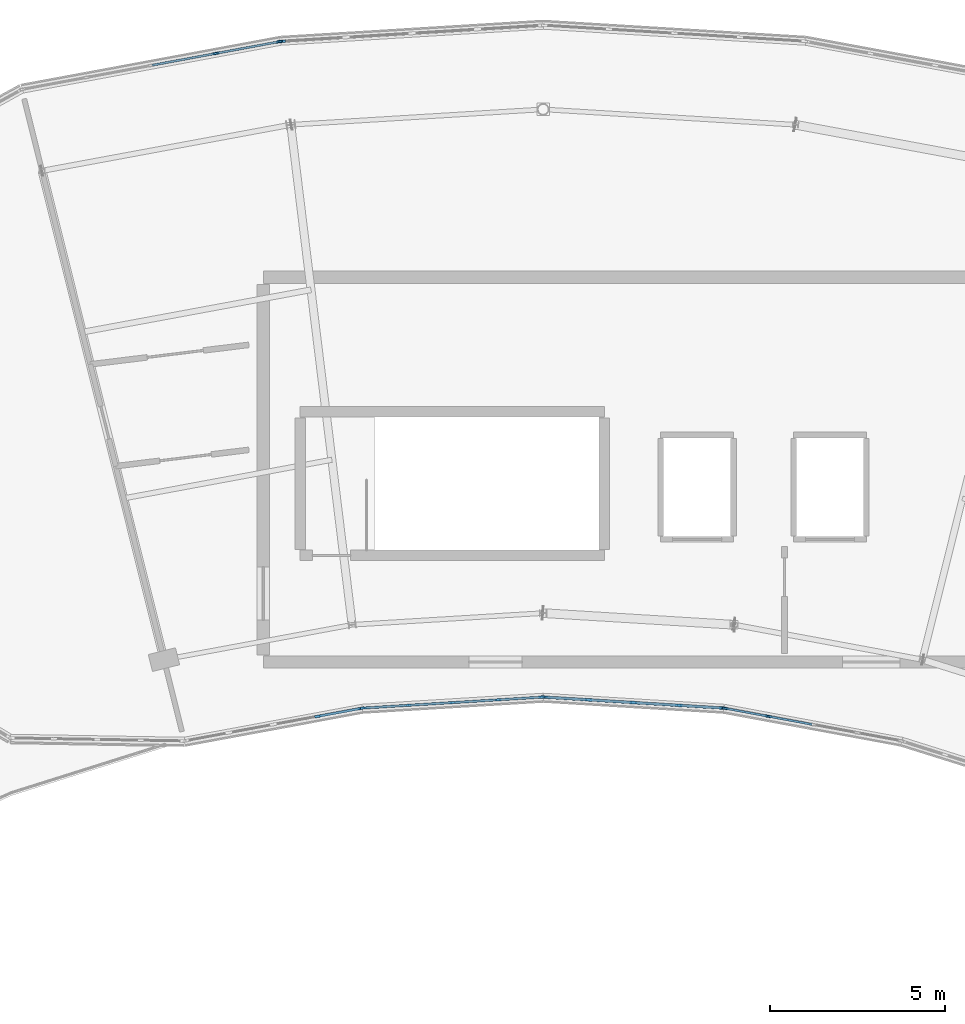
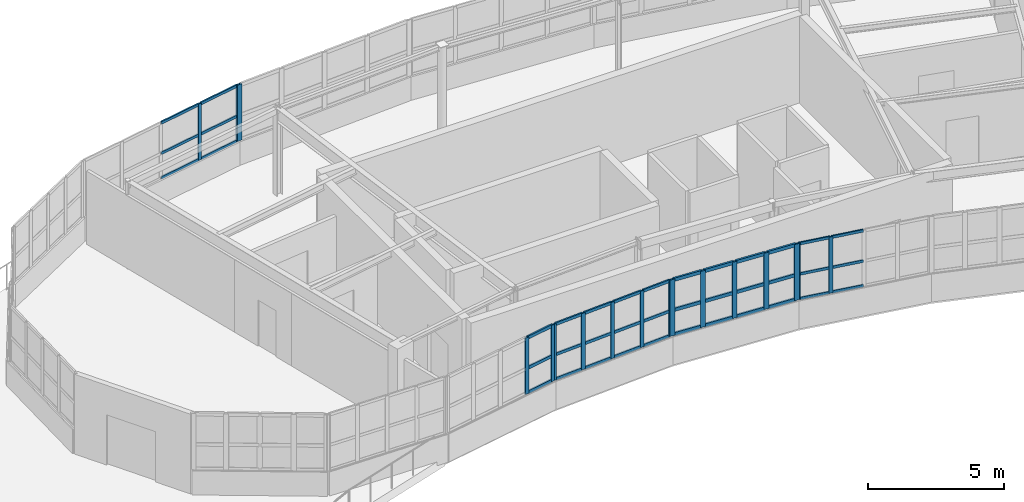
# One storey, part 8 of 26: 56 members, 6 elements without a shape of their own.
"""IFC4 building model written with IfcOpenShell, lengths in metres."""

import ifcopenshell
import ifcopenshell.guid

model = None  # the IFC model being written
_history = None  # IfcOwnerHistory: only IFC2X3 demands one
_inside = {}  # id of a spatial element -> (the spatial element, [elements in it])
_under = {}  # id of a project, library or spatial element -> (it, [spatial elements below it])
_declared = {}  # id of a project -> (the project, [libraries it declares])
_typed = {}  # id of a type object -> (the type object, [elements of that type])
_made_of = {}  # id of a material, layer set ... -> (it, [elements and type objects made of it])


def new_model(schema):
    """Start an empty IFC model of exactly this schema.

    Asked for "IFC4X3", IfcOpenShell would pick the latest addendum, in which some entities
    have other attributes; the version numbers below select the first issue.
    IFC2X3 requires an IfcOwnerHistory on every rooted entity: one is made here for all.
    """
    global model, _history
    if schema == "IFC4X3":
        model = ifcopenshell.file(schema_version=(4, 3, 0, 0))
    else:
        model = ifcopenshell.file(schema=schema)
    _inside.clear()
    _under.clear()
    _declared.clear()
    _typed.clear()
    _made_of.clear()
    _history = None
    if model.schema == "IFC2X3":
        org = make("IfcOrganization", Name="unknown")
        user = make(
            "IfcPersonAndOrganization",
            ThePerson=make("IfcPerson", FamilyName="unknown"),
            TheOrganization=org,
        )
        app = make(
            "IfcApplication",
            ApplicationDeveloper=org,
            Version="unknown",
            ApplicationFullName="unknown",
            ApplicationIdentifier="unknown",
        )
        _history = make(
            "IfcOwnerHistory",
            OwningUser=user,
            OwningApplication=app,
            ChangeAction="ADDED",
            CreationDate=0,
        )
    return model


def make(cls, **values):
    """One entity of the class cls with the attributes given. An attribute that is None is left unset."""
    return model.create_entity(
        cls, **{name: value for name, value in values.items() if value is not None}
    )


def rooted(cls, **values):
    """An entity with a GlobalId (a new one), such as an element, a storey or a relation."""
    return make(cls, GlobalId=ifcopenshell.guid.new(), OwnerHistory=_history, **values)


def si_unit(unit_type, name, prefix=None):
    """IfcSIUnit, for example si_unit("LENGTHUNIT", "METRE", prefix="MILLI")."""
    return make("IfcSIUnit", UnitType=unit_type, Prefix=prefix, Name=name)


def assignment(units):
    """IfcUnitAssignment: the units of a project."""
    return None if units is None else make("IfcUnitAssignment", Units=units)


def point(xyz):
    """IfcCartesianPoint."""
    return None if xyz is None else make("IfcCartesianPoint", Coordinates=xyz)


def direction(xyz):
    """IfcDirection."""
    return None if xyz is None else make("IfcDirection", DirectionRatios=xyz)


def frame(location, z_axis=None, x_axis=None):
    """IfcAxis2Placement3D, a coordinate frame: its origin and axes. An axis left out is left unset."""
    return make(
        "IfcAxis2Placement3D",
        Location=point(location),
        Axis=direction(z_axis),
        RefDirection=direction(x_axis),
    )


def frame_2d(location, x_axis=None):
    """IfcAxis2Placement2D, a coordinate frame in the plane: its origin and x axis."""
    return make(
        "IfcAxis2Placement2D", Location=point(location), RefDirection=direction(x_axis)
    )


def origin():
    """The frame at (0, 0, 0) with its axes left unset."""
    return frame((0.0, 0.0, 0.0))


def origin_2d():
    """The frame at (0, 0) in the plane with its x axis left unset."""
    return frame_2d((0.0, 0.0))


def place(relative_to, where):
    """IfcLocalPlacement: puts the frame where relative to a parent placement (None: the world)."""
    return make(
        "IfcLocalPlacement", PlacementRelTo=relative_to, RelativePlacement=where
    )


def context(
    kind, dimensions, precision=None, world=None, true_north=None, identifier=None
):
    """IfcGeometricRepresentationContext, for example the 3D "Model" context."""
    return make(
        "IfcGeometricRepresentationContext",
        ContextIdentifier=identifier,
        ContextType=kind,
        CoordinateSpaceDimension=dimensions,
        Precision=precision,
        WorldCoordinateSystem=world,
        TrueNorth=true_north,
    )


def subcontext(parent, identifier, kind, view, scale=None):
    """IfcGeometricRepresentationSubContext, for example "Body" below "Model"."""
    return make(
        "IfcGeometricRepresentationSubContext",
        ContextIdentifier=identifier,
        ContextType=kind,
        ParentContext=parent,
        TargetScale=scale,
        TargetView=view,
    )


def project(units=None, contexts=None):
    """IfcProject with its units and contexts."""
    return rooted(
        "IfcProject",
        Name="project",
        RepresentationContexts=contexts,
        UnitsInContext=assignment(units),
    )


def spatial(cls, under=None, at=None, **own):
    """A site, building, storey or space (cls), placed at a placement, below another one or the project."""
    s = rooted(cls, ObjectPlacement=at, **own)
    if under is not None:
        _under.setdefault(under.id(), (under, []))[1].append(s)
    return s


def profile(cls, at=None, kind="AREA", **sizes):
    """A parametric profile (cls). Its sizes go by their IFC names, for example OverallWidth=200.0."""
    return make(cls, ProfileType=kind, Position=at, **sizes)


def rectangle(**sizes):
    """IfcRectangleProfileDef."""
    return profile("IfcRectangleProfileDef", **sizes)


def extrude(swept, where, along, depth):
    """IfcExtrudedAreaSolid: the profile swept, set in the frame where, extruded along a direction by depth."""
    return make(
        "IfcExtrudedAreaSolid",
        SweptArea=swept,
        Position=where,
        ExtrudedDirection=direction(along),
        Depth=depth,
    )


def shape(context_of_items, identifier, shape_type, items):
    """IfcShapeRepresentation: the items that make up one representation, for example the "Body"."""
    return make(
        "IfcShapeRepresentation",
        ContextOfItems=context_of_items,
        RepresentationIdentifier=identifier,
        RepresentationType=shape_type,
        Items=items,
    )


def material(Name=None, Category=None):
    """IfcMaterial."""
    return make("IfcMaterial", Name=Name, Category=Category)


def layer(
    of_material, thickness, ventilated=None, Name=None, Category=None, Priority=None
):
    """IfcMaterialLayer: one layer of a wall or slab, of a material (None: an air gap)."""
    return make(
        "IfcMaterialLayer",
        Material=of_material,
        LayerThickness=thickness,
        IsVentilated=ventilated,
        Name=Name,
        Category=Category,
        Priority=Priority,
    )


def layer_set(layers, Name=None):
    """IfcMaterialLayerSet."""
    return make("IfcMaterialLayerSet", MaterialLayers=layers, LayerSetName=Name)


def material_profile(
    of_material, cross_section, Name=None, Category=None, Priority=None
):
    """IfcMaterialProfile: a cross section and its material."""
    return make(
        "IfcMaterialProfile",
        Name=Name,
        Material=of_material,
        Profile=cross_section,
        Priority=Priority,
        Category=Category,
    )


def profile_set(profiles, Name=None, composite=None):
    """IfcMaterialProfileSet."""
    return make(
        "IfcMaterialProfileSet",
        Name=Name,
        MaterialProfiles=profiles,
        CompositeProfile=composite,
    )


def made_of(thing, what):
    """Note that an element or type object is made of a material, layer set ...; save() writes the relation."""
    if what is not None:
        _made_of.setdefault(what.id(), (what, []))[1].append(thing)
    return thing


def type_object(cls, material=None, **own):
    """A type object (cls), such as IfcWallType, which elements share."""
    return made_of(rooted(cls, **own), material)


def element(
    cls,
    number,
    at=None,
    inside=None,
    cuts=None,
    type_object=None,
    material=None,
    context=None,
    identifier="Body",
    shape_type=None,
    held_by="IfcProductDefinitionShape",
    body=None,
    shapes=None,
    **own,
):
    """One element of the class cls, such as IfcWall. Its Tag is "e" and its number.

    at: its placement. inside: the storey or other place that contains it. cuts: it is an
    opening in that element (IfcRelVoidsElement). A single representation is given by context,
    identifier, shape_type and body (its items); several are given by shapes. held_by: the class
    of the entity that holds the representations. save() writes the other relations.
    """
    e = rooted(cls, Tag="e%d" % number, ObjectPlacement=at, **own)
    if body is not None:
        shapes = [shape(context, identifier, shape_type, body)]
    if shapes is not None:
        e.Representation = make(held_by, Representations=shapes)
    if inside is not None:
        _inside.setdefault(inside.id(), (inside, []))[1].append(e)
    if cuts is not None:
        rooted(
            "IfcRelVoidsElement", RelatingBuildingElement=cuts, RelatedOpeningElement=e
        )
    if type_object is not None:
        _typed.setdefault(type_object.id(), (type_object, []))[1].append(e)
    return made_of(e, material)


def aggregate(whole, parts):
    """IfcRelAggregates: a whole, such as a stair, and the parts it consists of."""
    return rooted("IfcRelAggregates", RelatingObject=whole, RelatedObjects=parts)


def save(model, path):
    """Write the relations noted so far, then the file.

    IfcRelAggregates (storeys below a building ...), IfcRelContainedInSpatialStructure (elements
    in a storey), IfcRelDefinesByType, IfcRelAssociatesMaterial and IfcRelDeclares: one each for
    every whole, place, type object, material and project.
    """
    for whole, parts in _under.values():
        aggregate(whole, parts)
    for where, things in _inside.values():
        rooted(
            "IfcRelContainedInSpatialStructure",
            RelatedElements=things,
            RelatingStructure=where,
        )
    for kind, things in _typed.values():
        rooted("IfcRelDefinesByType", RelatedObjects=things, RelatingType=kind)
    for what, things in _made_of.values():
        rooted("IfcRelAssociatesMaterial", RelatedObjects=things, RelatingMaterial=what)
    for by, libraries in _declared.values():
        rooted("IfcRelDeclares", RelatingContext=by, RelatedDefinitions=libraries)
    model.write(path)


model = new_model("IFC4")

# Units and contexts
model_context = context("Model", 3, precision=1e-05, world=origin(), true_north=direction((0.0, 1.0)))
body_context = subcontext(model_context, "Body", "Model", "MODEL_VIEW")
ifc_project = project(units=[si_unit("LENGTHUNIT", "METRE"), si_unit("AREAUNIT", "SQUARE_METRE"), si_unit("VOLUMEUNIT", "CUBIC_METRE"), si_unit("PLANEANGLEUNIT", "RADIAN"), si_unit("MASSUNIT", "GRAM", prefix="KILO")], contexts=[model_context])

# Site, building, storey
site_placement = place(None, origin())
site = spatial("IfcSite", under=ifc_project, at=site_placement, CompositionType="ELEMENT")
building_placement = place(site_placement, origin())
building = spatial("IfcBuilding", under=site, at=building_placement, Name="Tarnwether General Hospital", CompositionType="ELEMENT")
storey_placement = place(building_placement, frame((0.0, 0.0, 30.0)))
storey = spatial("IfcBuildingStorey", under=building, at=storey_placement, Name="L07", CompositionType="ELEMENT", Elevation=30.0)

# Curtain wall, members
ifc_material_1 = material(Name="Anodised aluminium", Category="aluminium")
ifc_layer_1 = layer(ifc_material_1, 0.159912109375)
ifc_layer_set_1 = layer_set([ifc_layer_1], Name="Anodised aluminium")
curtain_wall_type_1 = type_object("IfcCurtainWallType", Name="CW-03", PredefinedType="NOTDEFINED", material=ifc_layer_set_1)
curtain_wall_1_placement = place(storey_placement, origin())
curtain_wall_1 = element("IfcCurtainWall", 1, at=curtain_wall_1_placement, inside=storey, type_object=curtain_wall_type_1, Name="Curtain Wall CWG-L07-1023_1041-0136", PredefinedType="NOTDEFINED")
ifc_material_2 = material(Name="Anodised aluminium", Category="aluminium")
ifc_material_profile_1 = material_profile(ifc_material_2, rectangle(XDim=0.06005859375, YDim=0.159912109375, at=origin_2d()), Name="ALU-MUL-60x160")
ifc_profile_set_1 = profile_set([ifc_material_profile_1], Name="Anodised aluminium")
member_type_1 = type_object("IfcMemberType", Name="CW-ML1", PredefinedType="MULLION", material=ifc_profile_set_1)
member_1_placement = place(storey_placement, frame((98.439453125, 104.84814453125, 1.050048828125), z_axis=(0.0, 0.0, 1.0), x_axis=(-0.182165351666, -0.983267910924, 0.0)))
member_1 = element("IfcMember", 2, at=member_1_placement, type_object=member_type_1, Name="CW-03 mullion 4", PredefinedType="MULLION", context=body_context, shape_type="SweptSolid", body=[
    extrude(rectangle(XDim=0.06005859375, YDim=0.159912109375, at=origin_2d()), origin(), (0.0, 0.0, 1.0), 2.52001953125),
])
member_2_placement = place(storey_placement, frame((97.196533203125, 105.07861328125, 1.050048828125), z_axis=(0.0, 0.0, 1.0), x_axis=(-0.182165351666, -0.983267910924, 0.0)))
member_2 = element("IfcMember", 3, at=member_2_placement, type_object=member_type_1, Name="CW-03 mullion 5", PredefinedType="MULLION", context=body_context, shape_type="SweptSolid", body=[
    extrude(rectangle(XDim=0.06005859375, YDim=0.159912109375, at=origin_2d()), origin(), (0.0, 0.0, 1.0), 2.52001953125),
])

ifc_material_3 = material(Name="Anodised aluminium", Category="aluminium")
ifc_layer_2 = layer(ifc_material_3, 0.179931640625)
ifc_layer_set_2 = layer_set([ifc_layer_2], Name="Anodised aluminium")
curtain_wall_type_2 = type_object("IfcCurtainWallType", Name="CW-07", PredefinedType="NOTDEFINED", material=ifc_layer_set_2)
curtain_wall_2_placement = place(storey_placement, origin())
curtain_wall_2 = element("IfcCurtainWall", 4, at=curtain_wall_2_placement, inside=storey, type_object=curtain_wall_type_2, Name="Curtain Wall CWG-L07-771_1228-0152", PredefinedType="NOTDEFINED")
member_3_placement = place(storey_placement, frame((82.644287109375, 123.79833984375, 1.050048828125), z_axis=(0.0, 0.0, 1.0), x_axis=(-0.182289226614, 0.983244953132, 0.0)))
member_3 = element("IfcMember", 5, at=member_3_placement, type_object=member_type_1, Name="CW-07 mullion 4", PredefinedType="MULLION", context=body_context, shape_type="SweptSolid", body=[
    extrude(rectangle(XDim=0.06005859375, YDim=0.159912109375, at=origin_2d()), origin(), (0.0, 0.0, 1.0), 2.52001953125),
])
member_4_placement = place(storey_placement, frame((84.463623046875, 124.135498046875, 1.050048828125), z_axis=(0.0, 0.0, 1.0), x_axis=(-0.182289226614, 0.983244953132, 0.0)))
member_4 = element("IfcMember", 6, at=member_4_placement, type_object=member_type_1, Name="CW-07 mullion 5", PredefinedType="MULLION", context=body_context, shape_type="SweptSolid", body=[
    extrude(rectangle(XDim=0.06005859375, YDim=0.159912109375, at=origin_2d()), origin(), (0.0, 0.0, 1.0), 2.52001953125),
])

curtain_wall_3_placement = place(storey_placement, origin())
curtain_wall_3 = element("IfcCurtainWall", 7, at=curtain_wall_3_placement, inside=storey, type_object=curtain_wall_type_1, Name="Curtain Wall CWG-L07-868_1051-0133", PredefinedType="NOTDEFINED")
ifc_material_4 = material(Name="Anodised aluminium", Category="aluminium")
ifc_material_profile_2 = material_profile(ifc_material_4, rectangle(XDim=0.070068359375, YDim=0.179931640625, at=origin_2d()), Name="ALU-MUL-70x180")
ifc_profile_set_2 = profile_set([ifc_material_profile_2], Name="Anodised aluminium")
member_type_2 = type_object("IfcMemberType", Name="CW-ML2", PredefinedType="MULLION", material=ifc_profile_set_2)
member_5_placement = place(storey_placement, frame((86.798583984375, 105.07763671875, 1.050048828125), z_axis=(0.0, 0.0, 1.0), x_axis=(0.182165351666, -0.983267910924, 0.0)))
member_5 = element("IfcMember", 8, at=member_5_placement, type_object=member_type_2, Name="CW-03 mullion 1", PredefinedType="MULLION", context=body_context, shape_type="SweptSolid", body=[
    extrude(rectangle(XDim=0.070068359375, YDim=0.179931640625, at=origin_2d()), origin(), (0.0, 0.0, 1.0), 2.52001953125),
])
member_6_placement = place(storey_placement, frame((85.560546875, 104.84814453125, 1.050048828125), z_axis=(0.0, 0.0, 1.0), x_axis=(0.182165351666, -0.983267910924, 0.0)))
member_6 = element("IfcMember", 9, at=member_6_placement, type_object=member_type_2, Name="CW-03 mullion 2", PredefinedType="MULLION", context=body_context, shape_type="SweptSolid", body=[
    extrude(rectangle(XDim=0.070068359375, YDim=0.179931640625, at=origin_2d()), origin(), (0.0, 0.0, 1.0), 2.52001953125),
])

curtain_wall_4_placement = place(storey_placement, origin())
curtain_wall_4 = element("IfcCurtainWall", 10, at=curtain_wall_4_placement, inside=storey, type_object=curtain_wall_type_1, Name="Curtain Wall CWG-L07-920_1054-0134", PredefinedType="NOTDEFINED")
ifc_material_5 = material(Name="Anodised aluminium", Category="aluminium")
ifc_material_profile_3 = material_profile(ifc_material_5, rectangle(XDim=0.06494140625, YDim=0.169921875, at=origin_2d()), Name="ALU-MUL-65x170")
ifc_profile_set_3 = profile_set([ifc_material_profile_3], Name="Anodised aluminium")
member_type_3 = type_object("IfcMemberType", Name="CW-ML3", PredefinedType="MULLION", material=ifc_profile_set_3)
member_7_placement = place(storey_placement, frame((91.967529296875, 105.39794921875, 1.050048828125), z_axis=(0.0, 0.0, 1.0), x_axis=(0.06104329354, -0.998135119267, 0.0)))
member_7 = element("IfcMember", 11, at=member_7_placement, type_object=member_type_3, Name="CW-03 mullion 1", PredefinedType="MULLION", context=body_context, shape_type="SweptSolid", body=[
    extrude(rectangle(XDim=0.06494140625, YDim=0.169921875, at=origin_2d()), origin(), (0.0, 0.0, 1.0), 2.52001953125),
])
member_8_placement = place(storey_placement, frame((90.708251953125, 105.321044921875, 1.050048828125), z_axis=(0.0, 0.0, 1.0), x_axis=(0.06104329354, -0.998135119267, 0.0)))
member_8 = element("IfcMember", 12, at=member_8_placement, type_object=member_type_3, Name="CW-03 mullion 2", PredefinedType="MULLION", context=body_context, shape_type="SweptSolid", body=[
    extrude(rectangle(XDim=0.06494140625, YDim=0.169921875, at=origin_2d()), origin(), (0.0, 0.0, 1.0), 2.52001953125),
])
member_9_placement = place(storey_placement, frame((89.41650390625, 105.241943359375, 1.050048828125), z_axis=(0.0, 0.0, 1.0), x_axis=(0.06104329354, -0.998135119267, 0.0)))
member_9 = element("IfcMember", 13, at=member_9_placement, type_object=member_type_3, Name="CW-03 mullion 3", PredefinedType="MULLION", context=body_context, shape_type="SweptSolid", body=[
    extrude(rectangle(XDim=0.06494140625, YDim=0.169921875, at=origin_2d()), origin(), (0.0, 0.0, 1.0), 2.52001953125),
])
member_10_placement = place(storey_placement, frame((88.124755859375, 105.1630859375, 1.050048828125), z_axis=(0.0, 0.0, 1.0), x_axis=(0.06104329354, -0.998135119267, 0.0)))
member_10 = element("IfcMember", 14, at=member_10_placement, type_object=member_type_3, Name="CW-03 mullion 4", PredefinedType="MULLION", context=body_context, shape_type="SweptSolid", body=[
    extrude(rectangle(XDim=0.06494140625, YDim=0.169921875, at=origin_2d()), origin(), (0.0, 0.0, 1.0), 2.52001953125),
])
member_11_placement = place(storey_placement, frame((86.865478515625, 105.0859375, 1.050048828125), z_axis=(0.0, 0.0, 1.0), x_axis=(0.06104329354, -0.998135119267, 0.0)))
member_11 = element("IfcMember", 15, at=member_11_placement, type_object=member_type_3, Name="CW-03 mullion 5", PredefinedType="MULLION", context=body_context, shape_type="SweptSolid", body=[
    extrude(rectangle(XDim=0.06494140625, YDim=0.169921875, at=origin_2d()), origin(), (0.0, 0.0, 1.0), 2.52001953125),
])

curtain_wall_5_placement = place(storey_placement, origin())
curtain_wall_5 = element("IfcCurtainWall", 16, at=curtain_wall_5_placement, inside=storey, type_object=curtain_wall_type_1, Name="Curtain Wall CWG-L07-972_1051-0135", PredefinedType="NOTDEFINED")
ifc_material_6 = material(Name="Anodised aluminium", Category="aluminium")
ifc_material_profile_4 = material_profile(ifc_material_6, rectangle(XDim=0.080078125, YDim=0.199951171875, at=origin_2d()), Name="ALU-MUL-80x200")
ifc_profile_set_4 = profile_set([ifc_material_profile_4], Name="Anodised aluminium")
member_type_4 = type_object("IfcMemberType", Name="CW-ML4", PredefinedType="MULLION", material=ifc_profile_set_4)
member_12_placement = place(storey_placement, frame((97.126953125, 105.08642578125, 1.050048828125), z_axis=(0.0, 0.0, 1.0), x_axis=(-0.06104329354, -0.998135119267, 0.0)))
member_12 = element("IfcMember", 17, at=member_12_placement, type_object=member_type_4, Name="CW-03 mullion 1", PredefinedType="MULLION", context=body_context, shape_type="SweptSolid", body=[
    extrude(rectangle(XDim=0.080078125, YDim=0.199951171875, at=origin_2d()), origin(), (0.0, 0.0, 1.0), 2.52001953125),
])
member_13_placement = place(storey_placement, frame((95.875244140625, 105.1630859375, 1.050048828125), z_axis=(0.0, 0.0, 1.0), x_axis=(-0.06104329354, -0.998135119267, 0.0)))
member_13 = element("IfcMember", 18, at=member_13_placement, type_object=member_type_4, Name="CW-03 mullion 2", PredefinedType="MULLION", context=body_context, shape_type="SweptSolid", body=[
    extrude(rectangle(XDim=0.080078125, YDim=0.199951171875, at=origin_2d()), origin(), (0.0, 0.0, 1.0), 2.52001953125),
])
member_14_placement = place(storey_placement, frame((94.58349609375, 105.241943359375, 1.050048828125), z_axis=(0.0, 0.0, 1.0), x_axis=(-0.06104329354, -0.998135119267, 0.0)))
member_14 = element("IfcMember", 19, at=member_14_placement, type_object=member_type_4, Name="CW-03 mullion 3", PredefinedType="MULLION", context=body_context, shape_type="SweptSolid", body=[
    extrude(rectangle(XDim=0.080078125, YDim=0.199951171875, at=origin_2d()), origin(), (0.0, 0.0, 1.0), 2.52001953125),
])
member_15_placement = place(storey_placement, frame((93.291748046875, 105.321044921875, 1.050048828125), z_axis=(0.0, 0.0, 1.0), x_axis=(-0.06104329354, -0.998135119267, 0.0)))
member_15 = element("IfcMember", 20, at=member_15_placement, type_object=member_type_4, Name="CW-03 mullion 4", PredefinedType="MULLION", context=body_context, shape_type="SweptSolid", body=[
    extrude(rectangle(XDim=0.080078125, YDim=0.199951171875, at=origin_2d()), origin(), (0.0, 0.0, 1.0), 2.52001953125),
])
member_16_placement = place(storey_placement, frame((92.0400390625, 105.3974609375, 1.050048828125), z_axis=(0.0, 0.0, 1.0), x_axis=(-0.06104329354, -0.998135119267, 0.0)))
member_16 = element("IfcMember", 21, at=member_16_placement, type_object=member_type_4, Name="CW-03 mullion 5", PredefinedType="MULLION", context=body_context, shape_type="SweptSolid", body=[
    extrude(rectangle(XDim=0.080078125, YDim=0.199951171875, at=origin_2d()), origin(), (0.0, 0.0, 1.0), 2.52001953125),
])

# Curtain wall, member
curtain_wall_6_placement = place(storey_placement, origin())
curtain_wall_6 = element("IfcCurtainWall", 22, at=curtain_wall_6_placement, inside=storey, type_object=curtain_wall_type_2, Name="Curtain Wall CWG-L07-845_1241-0151", PredefinedType="NOTDEFINED")
member_17_placement = place(storey_placement, frame((84.532958984375, 124.1435546875, 1.050048828125), z_axis=(0.0, 0.0, 1.0), x_axis=(-0.061028962567, 0.998135995608, 0.0)))
member_17 = element("IfcMember", 23, at=member_17_placement, type_object=member_type_4, Name="CW-07 mullion 1", PredefinedType="MULLION", context=body_context, shape_type="SweptSolid", body=[
    extrude(rectangle(XDim=0.080078125, YDim=0.199951171875, at=origin_2d()), origin(), (0.0, 0.0, 1.0), 2.52001953125),
])
aggregate(curtain_wall_6, [member_17])

# Member
ifc_material_7 = material(Name="Anodised aluminium", Category="aluminium")
ifc_material_profile_5 = material_profile(ifc_material_7, rectangle(XDim=0.06005859375, YDim=0.1201171875, at=origin_2d()), Name="ALU-TRN-60x120")
ifc_profile_set_5 = profile_set([ifc_material_profile_5], Name="Anodised aluminium")
member_type_5 = type_object("IfcMemberType", Name="CW-TR1", PredefinedType="USERDEFINED", material=ifc_profile_set_5)
member_18_placement = place(storey_placement, frame((99.6826171875, 104.617919921875, 1.080078125), z_axis=(-0.983266261218, 0.182174256001, 0.0), x_axis=(-0.182174256001, -0.983266261218, 0.0)))
member_18 = element("IfcMember", 24, at=member_18_placement, type_object=member_type_5, Name="CW-03 transom 3.1", ObjectType="TRANSOM", PredefinedType="USERDEFINED", context=body_context, shape_type="SweptSolid", body=[
    extrude(rectangle(XDim=0.06005859375, YDim=0.1201171875, at=origin_2d()), origin(), (0.0, 0.0, 1.0), 1.234375),
])

member_19_placement = place(storey_placement, frame((99.6826171875, 104.617919921875, 2.18408203125), z_axis=(-0.983266261218, 0.182174256001, 0.0), x_axis=(-0.182174256001, -0.983266261218, 0.0)))
member_19 = element("IfcMember", 25, at=member_19_placement, type_object=member_type_5, Name="CW-03 transom 3.2", ObjectType="TRANSOM", PredefinedType="USERDEFINED", context=body_context, shape_type="SweptSolid", body=[
    extrude(rectangle(XDim=0.06005859375, YDim=0.1201171875, at=origin_2d()), origin(), (0.0, 0.0, 1.0), 1.234375),
])

member_20_placement = place(storey_placement, frame((99.6826171875, 104.617919921875, 3.5400390625), z_axis=(-0.983266261218, 0.182174256001, 0.0), x_axis=(-0.182174256001, -0.983266261218, 0.0)))
member_20 = element("IfcMember", 26, at=member_20_placement, type_object=member_type_5, Name="CW-03 transom 3.3", ObjectType="TRANSOM", PredefinedType="USERDEFINED", context=body_context, shape_type="SweptSolid", body=[
    extrude(rectangle(XDim=0.06005859375, YDim=0.1201171875, at=origin_2d()), origin(), (0.0, 0.0, 1.0), 1.234375),
])

member_21_placement = place(storey_placement, frame((98.409912109375, 104.853759765625, 1.080078125), z_axis=(-0.983280660262, 0.182096521533, 0.0), x_axis=(-0.182096521533, -0.983280660262, 0.0)))
member_21 = element("IfcMember", 27, at=member_21_placement, type_object=member_type_5, Name="CW-03 transom 4.1", ObjectType="TRANSOM", PredefinedType="USERDEFINED", context=body_context, shape_type="SweptSolid", body=[
    extrude(rectangle(XDim=0.06005859375, YDim=0.1201171875, at=origin_2d()), origin(), (0.0, 0.0, 1.0), 1.203857421875),
])

member_22_placement = place(storey_placement, frame((98.409912109375, 104.853759765625, 2.18408203125), z_axis=(-0.983280660262, 0.182096521533, 0.0), x_axis=(-0.182096521533, -0.983280660262, 0.0)))
member_22 = element("IfcMember", 28, at=member_22_placement, type_object=member_type_5, Name="CW-03 transom 4.2", ObjectType="TRANSOM", PredefinedType="USERDEFINED", context=body_context, shape_type="SweptSolid", body=[
    extrude(rectangle(XDim=0.06005859375, YDim=0.1201171875, at=origin_2d()), origin(), (0.0, 0.0, 1.0), 1.203857421875),
])

member_23_placement = place(storey_placement, frame((98.409912109375, 104.853759765625, 3.5400390625), z_axis=(-0.983280660262, 0.182096521533, 0.0), x_axis=(-0.182096521533, -0.983280660262, 0.0)))
member_23 = element("IfcMember", 29, at=member_23_placement, type_object=member_type_5, Name="CW-03 transom 4.3", ObjectType="TRANSOM", PredefinedType="USERDEFINED", context=body_context, shape_type="SweptSolid", body=[
    extrude(rectangle(XDim=0.06005859375, YDim=0.1201171875, at=origin_2d()), origin(), (0.0, 0.0, 1.0), 1.203857421875),
])

aggregate(curtain_wall_1, [member_1, member_2, member_18, member_19, member_20, member_21, member_22, member_23])

member_24_placement = place(storey_placement, frame((80.824951171875, 123.4609375, 1.080078125), z_axis=(0.983248190733, 0.182271762543, 0.0), x_axis=(-0.182271762543, 0.983248190733, 0.0)))
member_24 = element("IfcMember", 30, at=member_24_placement, type_object=member_type_5, Name="CW-07 transom 3.1", ObjectType="TRANSOM", PredefinedType="USERDEFINED", context=body_context, shape_type="SweptSolid", body=[
    extrude(rectangle(XDim=0.06005859375, YDim=0.1201171875, at=origin_2d()), origin(), (0.0, 0.0, 1.0), 1.8203125),
])

member_25_placement = place(storey_placement, frame((80.824951171875, 123.4609375, 2.18408203125), z_axis=(0.983248190733, 0.182271762543, 0.0), x_axis=(-0.182271762543, 0.983248190733, 0.0)))
member_25 = element("IfcMember", 31, at=member_25_placement, type_object=member_type_5, Name="CW-07 transom 3.2", ObjectType="TRANSOM", PredefinedType="USERDEFINED", context=body_context, shape_type="SweptSolid", body=[
    extrude(rectangle(XDim=0.06005859375, YDim=0.1201171875, at=origin_2d()), origin(), (0.0, 0.0, 1.0), 1.8203125),
])

member_26_placement = place(storey_placement, frame((80.824951171875, 123.4609375, 3.5400390625), z_axis=(0.983248190733, 0.182271762543, 0.0), x_axis=(-0.182271762543, 0.983248190733, 0.0)))
member_26 = element("IfcMember", 32, at=member_26_placement, type_object=member_type_5, Name="CW-07 transom 3.3", ObjectType="TRANSOM", PredefinedType="USERDEFINED", context=body_context, shape_type="SweptSolid", body=[
    extrude(rectangle(XDim=0.06005859375, YDim=0.1201171875, at=origin_2d()), origin(), (0.0, 0.0, 1.0), 1.8203125),
])

member_27_placement = place(storey_placement, frame((82.673828125, 123.8037109375, 1.080078125), z_axis=(0.983237664214, 0.182328537733, 0.0), x_axis=(-0.182328537733, 0.983237664214, 0.0)))
member_27 = element("IfcMember", 33, at=member_27_placement, type_object=member_type_5, Name="CW-07 transom 4.1", ObjectType="TRANSOM", PredefinedType="USERDEFINED", context=body_context, shape_type="SweptSolid", body=[
    extrude(rectangle(XDim=0.06005859375, YDim=0.1201171875, at=origin_2d()), origin(), (0.0, 0.0, 1.0), 1.790283203125),
])

member_28_placement = place(storey_placement, frame((82.673828125, 123.8037109375, 2.18408203125), z_axis=(0.983237664214, 0.182328537733, 0.0), x_axis=(-0.182328537733, 0.983237664214, 0.0)))
member_28 = element("IfcMember", 34, at=member_28_placement, type_object=member_type_5, Name="CW-07 transom 4.2", ObjectType="TRANSOM", PredefinedType="USERDEFINED", context=body_context, shape_type="SweptSolid", body=[
    extrude(rectangle(XDim=0.06005859375, YDim=0.1201171875, at=origin_2d()), origin(), (0.0, 0.0, 1.0), 1.790283203125),
])

member_29_placement = place(storey_placement, frame((82.673828125, 123.8037109375, 3.5400390625), z_axis=(0.983237664214, 0.182328537733, 0.0), x_axis=(-0.182328537733, 0.983237664214, 0.0)))
member_29 = element("IfcMember", 35, at=member_29_placement, type_object=member_type_5, Name="CW-07 transom 4.3", ObjectType="TRANSOM", PredefinedType="USERDEFINED", context=body_context, shape_type="SweptSolid", body=[
    extrude(rectangle(XDim=0.06005859375, YDim=0.1201171875, at=origin_2d()), origin(), (0.0, 0.0, 1.0), 1.790283203125),
])

aggregate(curtain_wall_2, [member_3, member_4, member_24, member_25, member_26, member_27, member_28, member_29])

ifc_material_8 = material(Name="Anodised aluminium", Category="aluminium")
ifc_material_profile_6 = material_profile(ifc_material_8, rectangle(XDim=0.070068359375, YDim=0.139892578125, at=origin_2d()), Name="ALU-TRN-70x140")
ifc_profile_set_6 = profile_set([ifc_material_profile_6], Name="Anodised aluminium")
member_type_6 = type_object("IfcMemberType", Name="CW-TR2", PredefinedType="USERDEFINED", material=ifc_profile_set_6)
member_30_placement = place(storey_placement, frame((86.76416015625, 105.0712890625, 1.0849609375), z_axis=(-0.983276558396, -0.182118669304, 0.0), x_axis=(0.182118669304, -0.983276558396, 0.0)))
member_30 = element("IfcMember", 36, at=member_30_placement, type_object=member_type_6, Name="CW-03 transom 1.1", ObjectType="TRANSOM", PredefinedType="USERDEFINED", context=body_context, shape_type="SweptSolid", body=[
    extrude(rectangle(XDim=0.070068359375, YDim=0.139892578125, at=origin_2d()), origin(), (0.0, 0.0, 1.0), 1.18896484375),
])

member_31_placement = place(storey_placement, frame((86.76416015625, 105.0712890625, 2.18408203125), z_axis=(-0.983276558396, -0.182118669304, 0.0), x_axis=(0.182118669304, -0.983276558396, 0.0)))
member_31 = element("IfcMember", 37, at=member_31_placement, type_object=member_type_6, Name="CW-03 transom 1.2", ObjectType="TRANSOM", PredefinedType="USERDEFINED", context=body_context, shape_type="SweptSolid", body=[
    extrude(rectangle(XDim=0.070068359375, YDim=0.139892578125, at=origin_2d()), origin(), (0.0, 0.0, 1.0), 1.18896484375),
])

member_32_placement = place(storey_placement, frame((86.76416015625, 105.0712890625, 3.534912109375), z_axis=(-0.983276558396, -0.182118669304, 0.0), x_axis=(0.182118669304, -0.983276558396, 0.0)))
member_32 = element("IfcMember", 38, at=member_32_placement, type_object=member_type_6, Name="CW-03 transom 1.3", ObjectType="TRANSOM", PredefinedType="USERDEFINED", context=body_context, shape_type="SweptSolid", body=[
    extrude(rectangle(XDim=0.070068359375, YDim=0.139892578125, at=origin_2d()), origin(), (0.0, 0.0, 1.0), 1.18896484375),
])

aggregate(curtain_wall_3, [member_5, member_6, member_30, member_31, member_32])

ifc_material_9 = material(Name="Anodised aluminium", Category="aluminium")
ifc_material_profile_7 = material_profile(ifc_material_9, rectangle(XDim=0.06494140625, YDim=0.1298828125, at=origin_2d()), Name="ALU-TRN-65x130")
ifc_profile_set_7 = profile_set([ifc_material_profile_7], Name="Anodised aluminium")
member_type_7 = type_object("IfcMemberType", Name="CW-TR3", PredefinedType="USERDEFINED", material=ifc_profile_set_7)
member_33_placement = place(storey_placement, frame((91.93505859375, 105.39599609375, 1.08251953125), z_axis=(-0.998137377802, -0.061006352405, 0.0), x_axis=(0.061006352405, -0.998137377802, 0.0)))
member_33 = element("IfcMember", 39, at=member_33_placement, type_object=member_type_7, Name="CW-03 transom 1.1", ObjectType="TRANSOM", PredefinedType="USERDEFINED", context=body_context, shape_type="SweptSolid", body=[
    extrude(rectangle(XDim=0.06494140625, YDim=0.1298828125, at=origin_2d()), origin(), (0.0, 0.0, 1.0), 1.196533203125),
])

member_34_placement = place(storey_placement, frame((91.93505859375, 105.39599609375, 2.18408203125), z_axis=(-0.998137377802, -0.061006352405, 0.0), x_axis=(0.061006352405, -0.998137377802, 0.0)))
member_34 = element("IfcMember", 40, at=member_34_placement, type_object=member_type_7, Name="CW-03 transom 1.2", ObjectType="TRANSOM", PredefinedType="USERDEFINED", context=body_context, shape_type="SweptSolid", body=[
    extrude(rectangle(XDim=0.06494140625, YDim=0.1298828125, at=origin_2d()), origin(), (0.0, 0.0, 1.0), 1.196533203125),
])

member_35_placement = place(storey_placement, frame((91.93505859375, 105.39599609375, 3.53759765625), z_axis=(-0.998137377802, -0.061006352405, 0.0), x_axis=(0.061006352405, -0.998137377802, 0.0)))
member_35 = element("IfcMember", 41, at=member_35_placement, type_object=member_type_7, Name="CW-03 transom 1.3", ObjectType="TRANSOM", PredefinedType="USERDEFINED", context=body_context, shape_type="SweptSolid", body=[
    extrude(rectangle(XDim=0.06494140625, YDim=0.1298828125, at=origin_2d()), origin(), (0.0, 0.0, 1.0), 1.196533203125),
])

member_36_placement = place(storey_placement, frame((90.67578125, 105.319091796875, 1.08251953125), z_axis=(-0.998126827784, -0.061178718997, 0.0), x_axis=(0.061178718997, -0.998126827784, 0.0)))
member_36 = element("IfcMember", 42, at=member_36_placement, type_object=member_type_7, Name="CW-03 transom 2.1", ObjectType="TRANSOM", PredefinedType="USERDEFINED", context=body_context, shape_type="SweptSolid", body=[
    extrude(rectangle(XDim=0.06494140625, YDim=0.1298828125, at=origin_2d()), origin(), (0.0, 0.0, 1.0), 1.22900390625),
])

member_37_placement = place(storey_placement, frame((90.67578125, 105.319091796875, 2.18408203125), z_axis=(-0.998126827784, -0.061178718997, 0.0), x_axis=(0.061178718997, -0.998126827784, 0.0)))
member_37 = element("IfcMember", 43, at=member_37_placement, type_object=member_type_7, Name="CW-03 transom 2.2", ObjectType="TRANSOM", PredefinedType="USERDEFINED", context=body_context, shape_type="SweptSolid", body=[
    extrude(rectangle(XDim=0.06494140625, YDim=0.1298828125, at=origin_2d()), origin(), (0.0, 0.0, 1.0), 1.22900390625),
])

member_38_placement = place(storey_placement, frame((90.67578125, 105.319091796875, 3.53759765625), z_axis=(-0.998126827784, -0.061178718997, 0.0), x_axis=(0.061178718997, -0.998126827784, 0.0)))
member_38 = element("IfcMember", 44, at=member_38_placement, type_object=member_type_7, Name="CW-03 transom 2.3", ObjectType="TRANSOM", PredefinedType="USERDEFINED", context=body_context, shape_type="SweptSolid", body=[
    extrude(rectangle(XDim=0.06494140625, YDim=0.1298828125, at=origin_2d()), origin(), (0.0, 0.0, 1.0), 1.22900390625),
])

member_39_placement = place(storey_placement, frame((89.384033203125, 105.239990234375, 1.08251953125), z_axis=(-0.998138937615, -0.060980826636, 0.0), x_axis=(0.060980826636, -0.998138937615, 0.0)))
member_39 = element("IfcMember", 45, at=member_39_placement, type_object=member_type_7, Name="CW-03 transom 3.1", ObjectType="TRANSOM", PredefinedType="USERDEFINED", context=body_context, shape_type="SweptSolid", body=[
    extrude(rectangle(XDim=0.06494140625, YDim=0.1298828125, at=origin_2d()), origin(), (0.0, 0.0, 1.0), 1.22900390625),
])

member_40_placement = place(storey_placement, frame((89.384033203125, 105.239990234375, 2.18408203125), z_axis=(-0.998138937615, -0.060980826636, 0.0), x_axis=(0.060980826636, -0.998138937615, 0.0)))
member_40 = element("IfcMember", 46, at=member_40_placement, type_object=member_type_7, Name="CW-03 transom 3.2", ObjectType="TRANSOM", PredefinedType="USERDEFINED", context=body_context, shape_type="SweptSolid", body=[
    extrude(rectangle(XDim=0.06494140625, YDim=0.1298828125, at=origin_2d()), origin(), (0.0, 0.0, 1.0), 1.22900390625),
])

member_41_placement = place(storey_placement, frame((89.384033203125, 105.239990234375, 3.53759765625), z_axis=(-0.998138937615, -0.060980826636, 0.0), x_axis=(0.060980826636, -0.998138937615, 0.0)))
member_41 = element("IfcMember", 47, at=member_41_placement, type_object=member_type_7, Name="CW-03 transom 3.3", ObjectType="TRANSOM", PredefinedType="USERDEFINED", context=body_context, shape_type="SweptSolid", body=[
    extrude(rectangle(XDim=0.06494140625, YDim=0.1298828125, at=origin_2d()), origin(), (0.0, 0.0, 1.0), 1.22900390625),
])

member_42_placement = place(storey_placement, frame((88.09228515625, 105.1611328125, 1.08251953125), z_axis=(-0.998124933036, -0.061209623857, 0.0), x_axis=(0.061209623857, -0.998124933036, 0.0)))
member_42 = element("IfcMember", 48, at=member_42_placement, type_object=member_type_7, Name="CW-03 transom 4.1", ObjectType="TRANSOM", PredefinedType="USERDEFINED", context=body_context, shape_type="SweptSolid", body=[
    extrude(rectangle(XDim=0.06494140625, YDim=0.1298828125, at=origin_2d()), origin(), (0.0, 0.0, 1.0), 1.196533203125),
])

member_43_placement = place(storey_placement, frame((88.09228515625, 105.1611328125, 2.18408203125), z_axis=(-0.998124933036, -0.061209623857, 0.0), x_axis=(0.061209623857, -0.998124933036, 0.0)))
member_43 = element("IfcMember", 49, at=member_43_placement, type_object=member_type_7, Name="CW-03 transom 4.2", ObjectType="TRANSOM", PredefinedType="USERDEFINED", context=body_context, shape_type="SweptSolid", body=[
    extrude(rectangle(XDim=0.06494140625, YDim=0.1298828125, at=origin_2d()), origin(), (0.0, 0.0, 1.0), 1.196533203125),
])

member_44_placement = place(storey_placement, frame((88.09228515625, 105.1611328125, 3.53759765625), z_axis=(-0.998124933036, -0.061209623857, 0.0), x_axis=(0.061209623857, -0.998124933036, 0.0)))
member_44 = element("IfcMember", 50, at=member_44_placement, type_object=member_type_7, Name="CW-03 transom 4.3", ObjectType="TRANSOM", PredefinedType="USERDEFINED", context=body_context, shape_type="SweptSolid", body=[
    extrude(rectangle(XDim=0.06494140625, YDim=0.1298828125, at=origin_2d()), origin(), (0.0, 0.0, 1.0), 1.196533203125),
])

aggregate(curtain_wall_4, [member_7, member_8, member_9, member_10, member_11, member_33, member_34, member_35, member_36, member_37, member_38, member_39, member_40, member_41, member_42, member_43, member_44])

ifc_material_10 = material(Name="Anodised aluminium", Category="aluminium")
ifc_material_profile_8 = material_profile(ifc_material_10, rectangle(XDim=0.080078125, YDim=0.14990234375, at=origin_2d()), Name="ALU-TRN-80x150")
ifc_profile_set_8 = profile_set([ifc_material_profile_8], Name="Anodised aluminium")
member_type_8 = type_object("IfcMemberType", Name="CW-TR4", PredefinedType="USERDEFINED", material=ifc_profile_set_8)
member_45_placement = place(storey_placement, frame((97.087158203125, 105.0888671875, 1.090087890625), z_axis=(-0.998129480137, 0.061135430658, 0.0), x_axis=(-0.061135430658, -0.998129480137, 0.0)))
member_45 = element("IfcMember", 51, at=member_45_placement, type_object=member_type_8, Name="CW-03 transom 1.1", ObjectType="TRANSOM", PredefinedType="USERDEFINED", context=body_context, shape_type="SweptSolid", body=[
    extrude(rectangle(XDim=0.080078125, YDim=0.14990234375, at=origin_2d()), origin(), (0.0, 0.0, 1.0), 1.174072265625),
])

member_46_placement = place(storey_placement, frame((97.087158203125, 105.0888671875, 2.18408203125), z_axis=(-0.998129480137, 0.061135430658, 0.0), x_axis=(-0.061135430658, -0.998129480137, 0.0)))
member_46 = element("IfcMember", 52, at=member_46_placement, type_object=member_type_8, Name="CW-03 transom 1.2", ObjectType="TRANSOM", PredefinedType="USERDEFINED", context=body_context, shape_type="SweptSolid", body=[
    extrude(rectangle(XDim=0.080078125, YDim=0.14990234375, at=origin_2d()), origin(), (0.0, 0.0, 1.0), 1.174072265625),
])

member_47_placement = place(storey_placement, frame((97.087158203125, 105.0888671875, 3.530029296875), z_axis=(-0.998129480137, 0.061135430658, 0.0), x_axis=(-0.061135430658, -0.998129480137, 0.0)))
member_47 = element("IfcMember", 53, at=member_47_placement, type_object=member_type_8, Name="CW-03 transom 1.3", ObjectType="TRANSOM", PredefinedType="USERDEFINED", context=body_context, shape_type="SweptSolid", body=[
    extrude(rectangle(XDim=0.080078125, YDim=0.14990234375, at=origin_2d()), origin(), (0.0, 0.0, 1.0), 1.174072265625),
])

member_48_placement = place(storey_placement, frame((95.835205078125, 105.16552734375, 1.090087890625), z_axis=(-0.998141533598, 0.060938320508, 0.0), x_axis=(-0.060938320508, -0.998141533598, 0.0)))
member_48 = element("IfcMember", 54, at=member_48_placement, type_object=member_type_8, Name="CW-03 transom 2.1", ObjectType="TRANSOM", PredefinedType="USERDEFINED", context=body_context, shape_type="SweptSolid", body=[
    extrude(rectangle(XDim=0.080078125, YDim=0.14990234375, at=origin_2d()), origin(), (0.0, 0.0, 1.0), 1.2138671875),
])

member_49_placement = place(storey_placement, frame((95.835205078125, 105.16552734375, 2.18408203125), z_axis=(-0.998141533598, 0.060938320508, 0.0), x_axis=(-0.060938320508, -0.998141533598, 0.0)))
member_49 = element("IfcMember", 55, at=member_49_placement, type_object=member_type_8, Name="CW-03 transom 2.2", ObjectType="TRANSOM", PredefinedType="USERDEFINED", context=body_context, shape_type="SweptSolid", body=[
    extrude(rectangle(XDim=0.080078125, YDim=0.14990234375, at=origin_2d()), origin(), (0.0, 0.0, 1.0), 1.2138671875),
])

member_50_placement = place(storey_placement, frame((95.835205078125, 105.16552734375, 3.530029296875), z_axis=(-0.998141533598, 0.060938320508, 0.0), x_axis=(-0.060938320508, -0.998141533598, 0.0)))
member_50 = element("IfcMember", 56, at=member_50_placement, type_object=member_type_8, Name="CW-03 transom 2.3", ObjectType="TRANSOM", PredefinedType="USERDEFINED", context=body_context, shape_type="SweptSolid", body=[
    extrude(rectangle(XDim=0.080078125, YDim=0.14990234375, at=origin_2d()), origin(), (0.0, 0.0, 1.0), 1.2138671875),
])

member_51_placement = place(storey_placement, frame((94.54345703125, 105.244384765625, 1.090087890625), z_axis=(-0.998129280708, 0.061138686548, 0.0), x_axis=(-0.061138686548, -0.998129280708, 0.0)))
member_51 = element("IfcMember", 57, at=member_51_placement, type_object=member_type_8, Name="CW-03 transom 3.1", ObjectType="TRANSOM", PredefinedType="USERDEFINED", context=body_context, shape_type="SweptSolid", body=[
    extrude(rectangle(XDim=0.080078125, YDim=0.14990234375, at=origin_2d()), origin(), (0.0, 0.0, 1.0), 1.2138671875),
])

member_52_placement = place(storey_placement, frame((94.54345703125, 105.244384765625, 2.18408203125), z_axis=(-0.998129280708, 0.061138686548, 0.0), x_axis=(-0.061138686548, -0.998129280708, 0.0)))
member_52 = element("IfcMember", 58, at=member_52_placement, type_object=member_type_8, Name="CW-03 transom 3.2", ObjectType="TRANSOM", PredefinedType="USERDEFINED", context=body_context, shape_type="SweptSolid", body=[
    extrude(rectangle(XDim=0.080078125, YDim=0.14990234375, at=origin_2d()), origin(), (0.0, 0.0, 1.0), 1.2138671875),
])

member_53_placement = place(storey_placement, frame((94.54345703125, 105.244384765625, 3.530029296875), z_axis=(-0.998129280708, 0.061138686548, 0.0), x_axis=(-0.061138686548, -0.998129280708, 0.0)))
member_53 = element("IfcMember", 59, at=member_53_placement, type_object=member_type_8, Name="CW-03 transom 3.3", ObjectType="TRANSOM", PredefinedType="USERDEFINED", context=body_context, shape_type="SweptSolid", body=[
    extrude(rectangle(XDim=0.080078125, YDim=0.14990234375, at=origin_2d()), origin(), (0.0, 0.0, 1.0), 1.2138671875),
])

member_54_placement = place(storey_placement, frame((93.251708984375, 105.323486328125, 1.090087890625), z_axis=(-0.998142147743, 0.060928260268, 0.0), x_axis=(-0.060928260268, -0.998142147743, 0.0)))
member_54 = element("IfcMember", 60, at=member_54_placement, type_object=member_type_8, Name="CW-03 transom 4.1", ObjectType="TRANSOM", PredefinedType="USERDEFINED", context=body_context, shape_type="SweptSolid", body=[
    extrude(rectangle(XDim=0.080078125, YDim=0.14990234375, at=origin_2d()), origin(), (0.0, 0.0, 1.0), 1.174072265625),
])

member_55_placement = place(storey_placement, frame((93.251708984375, 105.323486328125, 2.18408203125), z_axis=(-0.998142147743, 0.060928260268, 0.0), x_axis=(-0.060928260268, -0.998142147743, 0.0)))
member_55 = element("IfcMember", 61, at=member_55_placement, type_object=member_type_8, Name="CW-03 transom 4.2", ObjectType="TRANSOM", PredefinedType="USERDEFINED", context=body_context, shape_type="SweptSolid", body=[
    extrude(rectangle(XDim=0.080078125, YDim=0.14990234375, at=origin_2d()), origin(), (0.0, 0.0, 1.0), 1.174072265625),
])

member_56_placement = place(storey_placement, frame((93.251708984375, 105.323486328125, 3.530029296875), z_axis=(-0.998142147743, 0.060928260268, 0.0), x_axis=(-0.060928260268, -0.998142147743, 0.0)))
member_56 = element("IfcMember", 62, at=member_56_placement, type_object=member_type_8, Name="CW-03 transom 4.3", ObjectType="TRANSOM", PredefinedType="USERDEFINED", context=body_context, shape_type="SweptSolid", body=[
    extrude(rectangle(XDim=0.080078125, YDim=0.14990234375, at=origin_2d()), origin(), (0.0, 0.0, 1.0), 1.174072265625),
])

aggregate(curtain_wall_5, [member_12, member_13, member_14, member_15, member_16, member_45, member_46, member_47, member_48, member_49, member_50, member_51, member_52, member_53, member_54, member_55, member_56])

save(model, "model.ifc")
